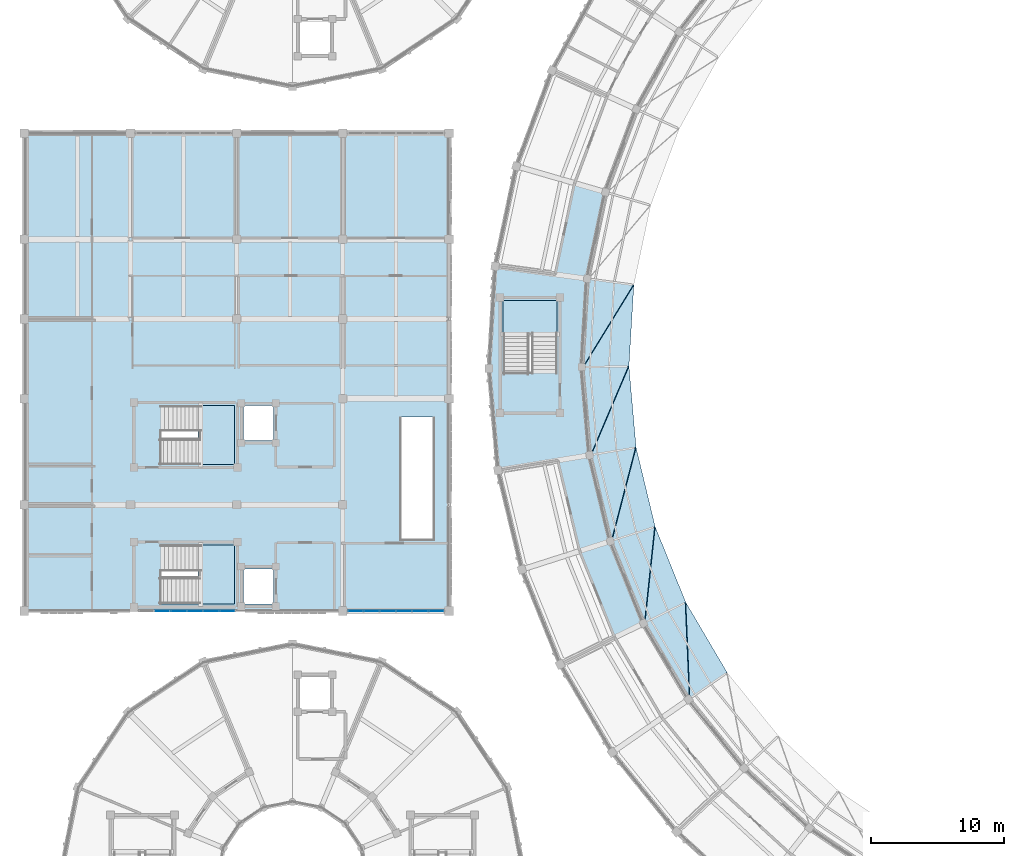
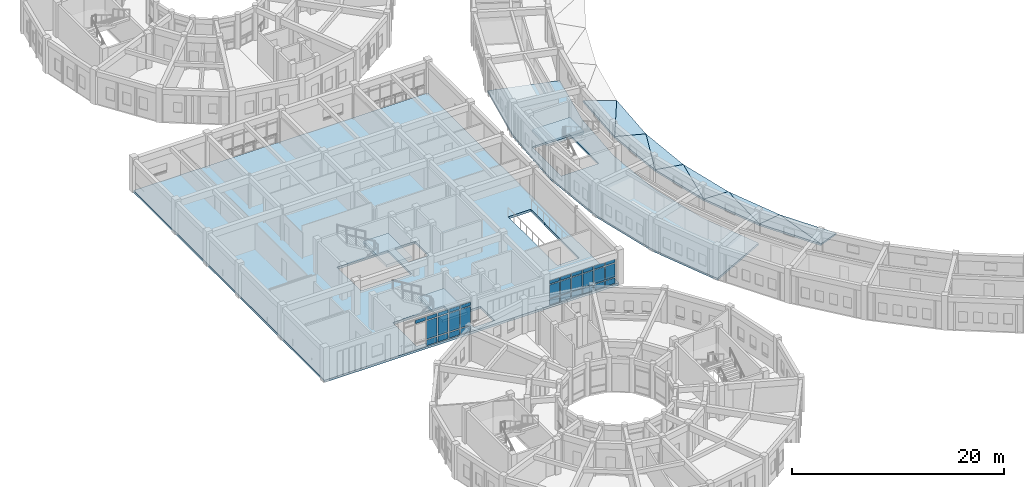
# One storey, part 67 of 112: 31 plates, 15 slabs, 5 elements without a shape of their own.
"""IFC4 building model written with IfcOpenShell, lengths in metres."""

from ifc_helpers import new_model, si_unit, direction, frame, origin, origin_2d, place, context, subcontext, project, spatial, polyline, rectangle, outline, extrude, material, layer, layer_set, type_object, element, aggregate, save


model = new_model("IFC4")

# Units and contexts
model_context = context("Model", 3, precision=1e-05, world=origin(), true_north=direction((0.0, 1.0)))
body_context = subcontext(model_context, "Body", "Model", "MODEL_VIEW")
ifc_project = project(units=[si_unit("LENGTHUNIT", "METRE"), si_unit("AREAUNIT", "SQUARE_METRE"), si_unit("VOLUMEUNIT", "CUBIC_METRE"), si_unit("PLANEANGLEUNIT", "RADIAN"), si_unit("MASSUNIT", "GRAM", prefix="KILO")], contexts=[model_context])

# Site, building, storey
site_placement = place(None, origin())
site = spatial("IfcSite", under=ifc_project, at=site_placement, CompositionType="ELEMENT")
building_placement = place(site_placement, origin())
building = spatial("IfcBuilding", under=site, at=building_placement, Name="Celadon Cloister-Ring School", CompositionType="ELEMENT")
storey_placement = place(building_placement, frame((0.0, 0.0, 8.5)))
storey = spatial("IfcBuildingStorey", under=building, at=storey_placement, Name="L02", CompositionType="ELEMENT", Elevation=8.5)

# Curtain wall, plates
ifc_material_1 = material(Name="Aluminium EN AW-6063 T6", Category="aluminium")
curtain_wall_type_1 = type_object("IfcCurtainWallType", Name="CW-15", PredefinedType="USERDEFINED", material=ifc_material_1)
curtain_wall_1_placement = place(storey_placement, origin())
curtain_wall_1 = element("IfcCurtainWall", 1, at=curtain_wall_1_placement, inside=storey, type_object=curtain_wall_type_1, Name="Curtain Wall 0201", ObjectType="CURTAIN WALL", PredefinedType="USERDEFINED")
ifc_material_2 = material(Name="Tempered laminated insulating glass", Category="glass")
ifc_layer_1 = layer(ifc_material_2, 0.02001953125)
ifc_layer_set_1 = layer_set([ifc_layer_1], Name="Tempered laminated insulating glass")
plate_type = type_object("IfcPlateType", Name="CPN-01", PredefinedType="CURTAIN_PANEL", material=ifc_layer_set_1)
plate_1_placement = place(storey_placement, frame((31.034912109375, 40.0, 0.10498046875), z_axis=(0.0, 0.0, 1.0), x_axis=(-1.0, 0.0, 0.0)))
plate_1 = element("IfcPlate", 2, at=plate_1_placement, type_object=plate_type, Name="CW-15 panel 1.1", PredefinedType="CURTAIN_PANEL", context=body_context, shape_type="SweptSolid", body=[
    extrude(rectangle(XDim=1.06005859375, YDim=0.02001953125, at=origin_2d()), origin(), (0.0, 0.0, 1.0), 0.642578125),
])
plate_2_placement = place(storey_placement, frame((31.034912109375, 40.0, 0.8525390625), z_axis=(0.0, 0.0, 1.0), x_axis=(-1.0, 0.0, 0.0)))
plate_2 = element("IfcPlate", 3, at=plate_2_placement, type_object=plate_type, Name="CW-15 panel 1.2", PredefinedType="CURTAIN_PANEL", context=body_context, shape_type="SweptSolid", body=[
    extrude(rectangle(XDim=1.06005859375, YDim=0.02001953125, at=origin_2d()), origin(), (0.0, 0.0, 1.0), 1.547119140625),
])
plate_3_placement = place(storey_placement, frame((31.034912109375, 40.0, 2.50439453125), z_axis=(0.0, 0.0, 1.0), x_axis=(-1.0, 0.0, 0.0)))
plate_3 = element("IfcPlate", 4, at=plate_3_placement, type_object=plate_type, Name="CW-15 panel 1.3", PredefinedType="CURTAIN_PANEL", context=body_context, shape_type="SweptSolid", body=[
    extrude(rectangle(XDim=1.06005859375, YDim=0.02001953125, at=origin_2d()), origin(), (0.0, 0.0, 1.0), 0.392578125),
])
plate_4_placement = place(storey_placement, frame((29.83740234375, 40.0, 0.10498046875), z_axis=(0.0, 0.0, 1.0), x_axis=(-1.0, 0.0, 0.0)))
plate_4 = element("IfcPlate", 5, at=plate_4_placement, type_object=plate_type, Name="CW-15 panel 2.1", PredefinedType="CURTAIN_PANEL", context=body_context, shape_type="SweptSolid", body=[
    extrude(rectangle(XDim=1.114990234375, YDim=0.02001953125, at=origin_2d()), origin(), (0.0, 0.0, 1.0), 0.642578125),
])
plate_5_placement = place(storey_placement, frame((29.83740234375, 40.0, 0.8525390625), z_axis=(0.0, 0.0, 1.0), x_axis=(-1.0, 0.0, 0.0)))
plate_5 = element("IfcPlate", 6, at=plate_5_placement, type_object=plate_type, Name="CW-15 panel 2.2", PredefinedType="CURTAIN_PANEL", context=body_context, shape_type="SweptSolid", body=[
    extrude(rectangle(XDim=1.114990234375, YDim=0.02001953125, at=origin_2d()), origin(), (0.0, 0.0, 1.0), 1.547119140625),
])
plate_6_placement = place(storey_placement, frame((29.83740234375, 40.0, 2.50439453125), z_axis=(0.0, 0.0, 1.0), x_axis=(-1.0, 0.0, 0.0)))
plate_6 = element("IfcPlate", 7, at=plate_6_placement, type_object=plate_type, Name="CW-15 panel 2.3", PredefinedType="CURTAIN_PANEL", context=body_context, shape_type="SweptSolid", body=[
    extrude(rectangle(XDim=1.114990234375, YDim=0.02001953125, at=origin_2d()), origin(), (0.0, 0.0, 1.0), 0.392578125),
])
plate_7_placement = place(storey_placement, frame((28.612548828125, 40.0, 0.10498046875), z_axis=(0.0, 0.0, 1.0), x_axis=(-1.0, 0.0, 0.0)))
plate_7 = element("IfcPlate", 8, at=plate_7_placement, type_object=plate_type, Name="CW-15 panel 3.1", PredefinedType="CURTAIN_PANEL", context=body_context, shape_type="SweptSolid", body=[
    extrude(rectangle(XDim=1.114990234375, YDim=0.02001953125, at=origin_2d()), origin(), (0.0, 0.0, 1.0), 0.642578125),
])
plate_8_placement = place(storey_placement, frame((28.612548828125, 40.0, 0.8525390625), z_axis=(0.0, 0.0, 1.0), x_axis=(-1.0, 0.0, 0.0)))
plate_8 = element("IfcPlate", 9, at=plate_8_placement, type_object=plate_type, Name="CW-15 panel 3.2", PredefinedType="CURTAIN_PANEL", context=body_context, shape_type="SweptSolid", body=[
    extrude(rectangle(XDim=1.114990234375, YDim=0.02001953125, at=origin_2d()), origin(), (0.0, 0.0, 1.0), 1.547119140625),
])
plate_9_placement = place(storey_placement, frame((28.612548828125, 40.0, 2.50439453125), z_axis=(0.0, 0.0, 1.0), x_axis=(-1.0, 0.0, 0.0)))
plate_9 = element("IfcPlate", 10, at=plate_9_placement, type_object=plate_type, Name="CW-15 panel 3.3", PredefinedType="CURTAIN_PANEL", context=body_context, shape_type="SweptSolid", body=[
    extrude(rectangle(XDim=1.114990234375, YDim=0.02001953125, at=origin_2d()), origin(), (0.0, 0.0, 1.0), 0.392578125),
])
plate_10_placement = place(storey_placement, frame((27.387451171875, 40.0, 0.10498046875), z_axis=(0.0, 0.0, 1.0), x_axis=(-1.0, 0.0, 0.0)))
plate_10 = element("IfcPlate", 11, at=plate_10_placement, type_object=plate_type, Name="CW-15 panel 4.1", PredefinedType="CURTAIN_PANEL", context=body_context, shape_type="SweptSolid", body=[
    extrude(rectangle(XDim=1.114990234375, YDim=0.02001953125, at=origin_2d()), origin(), (0.0, 0.0, 1.0), 0.642578125),
])
plate_11_placement = place(storey_placement, frame((27.387451171875, 40.0, 0.8525390625), z_axis=(0.0, 0.0, 1.0), x_axis=(-1.0, 0.0, 0.0)))
plate_11 = element("IfcPlate", 12, at=plate_11_placement, type_object=plate_type, Name="CW-15 panel 4.2", PredefinedType="CURTAIN_PANEL", context=body_context, shape_type="SweptSolid", body=[
    extrude(rectangle(XDim=1.114990234375, YDim=0.02001953125, at=origin_2d()), origin(), (0.0, 0.0, 1.0), 1.547119140625),
])
plate_12_placement = place(storey_placement, frame((27.387451171875, 40.0, 2.50439453125), z_axis=(0.0, 0.0, 1.0), x_axis=(-1.0, 0.0, 0.0)))
plate_12 = element("IfcPlate", 13, at=plate_12_placement, type_object=plate_type, Name="CW-15 panel 4.3", PredefinedType="CURTAIN_PANEL", context=body_context, shape_type="SweptSolid", body=[
    extrude(rectangle(XDim=1.114990234375, YDim=0.02001953125, at=origin_2d()), origin(), (0.0, 0.0, 1.0), 0.392578125),
])
plate_13_placement = place(storey_placement, frame((26.16259765625, 40.0, 0.10498046875), z_axis=(0.0, 0.0, 1.0), x_axis=(-1.0, 0.0, 0.0)))
plate_13 = element("IfcPlate", 14, at=plate_13_placement, type_object=plate_type, Name="CW-15 panel 5.1", PredefinedType="CURTAIN_PANEL", context=body_context, shape_type="SweptSolid", body=[
    extrude(rectangle(XDim=1.114990234375, YDim=0.02001953125, at=origin_2d()), origin(), (0.0, 0.0, 1.0), 0.642578125),
])
plate_14_placement = place(storey_placement, frame((26.16259765625, 40.0, 0.8525390625), z_axis=(0.0, 0.0, 1.0), x_axis=(-1.0, 0.0, 0.0)))
plate_14 = element("IfcPlate", 15, at=plate_14_placement, type_object=plate_type, Name="CW-15 panel 5.2", PredefinedType="CURTAIN_PANEL", context=body_context, shape_type="SweptSolid", body=[
    extrude(rectangle(XDim=1.114990234375, YDim=0.02001953125, at=origin_2d()), origin(), (0.0, 0.0, 1.0), 1.547119140625),
])
plate_15_placement = place(storey_placement, frame((26.16259765625, 40.0, 2.50439453125), z_axis=(0.0, 0.0, 1.0), x_axis=(-1.0, 0.0, 0.0)))
plate_15 = element("IfcPlate", 16, at=plate_15_placement, type_object=plate_type, Name="CW-15 panel 5.3", PredefinedType="CURTAIN_PANEL", context=body_context, shape_type="SweptSolid", body=[
    extrude(rectangle(XDim=1.114990234375, YDim=0.02001953125, at=origin_2d()), origin(), (0.0, 0.0, 1.0), 0.392578125),
])
plate_16_placement = place(storey_placement, frame((24.965087890625, 40.0, 0.10498046875), z_axis=(0.0, 0.0, 1.0), x_axis=(-1.0, 0.0, 0.0)))
plate_16 = element("IfcPlate", 17, at=plate_16_placement, type_object=plate_type, Name="CW-15 panel 6.1", PredefinedType="CURTAIN_PANEL", context=body_context, shape_type="SweptSolid", body=[
    extrude(rectangle(XDim=1.06005859375, YDim=0.02001953125, at=origin_2d()), origin(), (0.0, 0.0, 1.0), 0.642578125),
])
plate_17_placement = place(storey_placement, frame((24.965087890625, 40.0, 0.8525390625), z_axis=(0.0, 0.0, 1.0), x_axis=(-1.0, 0.0, 0.0)))
plate_17 = element("IfcPlate", 18, at=plate_17_placement, type_object=plate_type, Name="CW-15 panel 6.2", PredefinedType="CURTAIN_PANEL", context=body_context, shape_type="SweptSolid", body=[
    extrude(rectangle(XDim=1.06005859375, YDim=0.02001953125, at=origin_2d()), origin(), (0.0, 0.0, 1.0), 1.547119140625),
])
plate_18_placement = place(storey_placement, frame((24.965087890625, 40.0, 2.50439453125), z_axis=(0.0, 0.0, 1.0), x_axis=(-1.0, 0.0, 0.0)))
plate_18 = element("IfcPlate", 19, at=plate_18_placement, type_object=plate_type, Name="CW-15 panel 6.3", PredefinedType="CURTAIN_PANEL", context=body_context, shape_type="SweptSolid", body=[
    extrude(rectangle(XDim=1.06005859375, YDim=0.02001953125, at=origin_2d()), origin(), (0.0, 0.0, 1.0), 0.392578125),
])
aggregate(curtain_wall_1, [plate_1, plate_2, plate_3, plate_4, plate_5, plate_6, plate_7, plate_8, plate_9, plate_10, plate_11, plate_12, plate_13, plate_14, plate_15, plate_16, plate_17, plate_18])

ifc_material_3 = material(Name="Aluminium EN AW-6063 T6", Category="aluminium")
curtain_wall_type_2 = type_object("IfcCurtainWallType", Name="CW-13", PredefinedType="USERDEFINED", material=ifc_material_3)
curtain_wall_2_placement = place(storey_placement, origin())
curtain_wall_2 = element("IfcCurtainWall", 20, at=curtain_wall_2_placement, inside=storey, type_object=curtain_wall_type_2, Name="Curtain Wall 0202", ObjectType="CURTAIN WALL", PredefinedType="USERDEFINED")
plate_19_placement = place(storey_placement, frame((15.296630859375, 40.0, 0.10498046875), z_axis=(0.0, 0.0, 1.0), x_axis=(-1.0, 0.0, 0.0)))
plate_19 = element("IfcPlate", 21, at=plate_19_placement, type_object=plate_type, Name="CW-13 panel 1.1", PredefinedType="CURTAIN_PANEL", context=body_context, shape_type="SweptSolid", body=[
    extrude(rectangle(XDim=1.066650390625, YDim=0.02001953125, at=origin_2d()), origin(), (0.0, 0.0, 1.0), 0.642578125),
])
plate_20_placement = place(storey_placement, frame((15.296630859375, 40.0, 0.8525390625), z_axis=(0.0, 0.0, 1.0), x_axis=(-1.0, 0.0, 0.0)))
plate_20 = element("IfcPlate", 22, at=plate_20_placement, type_object=plate_type, Name="CW-13 panel 1.2", PredefinedType="CURTAIN_PANEL", context=body_context, shape_type="SweptSolid", body=[
    extrude(rectangle(XDim=1.066650390625, YDim=0.02001953125, at=origin_2d()), origin(), (0.0, 0.0, 1.0), 2.094970703125),
])
plate_21_placement = place(storey_placement, frame((15.296630859375, 40.0, 3.052490234375), z_axis=(0.0, 0.0, 1.0), x_axis=(-1.0, 0.0, 0.0)))
plate_21 = element("IfcPlate", 23, at=plate_21_placement, type_object=plate_type, Name="CW-13 panel 1.3", PredefinedType="CURTAIN_PANEL", context=body_context, shape_type="SweptSolid", body=[
    extrude(rectangle(XDim=1.066650390625, YDim=0.02001953125, at=origin_2d()), origin(), (0.0, 0.0, 1.0), 0.392578125),
])
plate_22_placement = place(storey_placement, frame((14.092529296875, 40.0, 0.10498046875), z_axis=(0.0, 0.0, 1.0), x_axis=(-1.0, 0.0, 0.0)))
plate_22 = element("IfcPlate", 24, at=plate_22_placement, type_object=plate_type, Name="CW-13 panel 2.1", PredefinedType="CURTAIN_PANEL", context=body_context, shape_type="SweptSolid", body=[
    extrude(rectangle(XDim=1.12158203125, YDim=0.02001953125, at=origin_2d()), origin(), (0.0, 0.0, 1.0), 0.642578125),
])
plate_23_placement = place(storey_placement, frame((14.092529296875, 40.0, 0.8525390625), z_axis=(0.0, 0.0, 1.0), x_axis=(-1.0, 0.0, 0.0)))
plate_23 = element("IfcPlate", 25, at=plate_23_placement, type_object=plate_type, Name="CW-13 panel 2.2", PredefinedType="CURTAIN_PANEL", context=body_context, shape_type="SweptSolid", body=[
    extrude(rectangle(XDim=1.12158203125, YDim=0.02001953125, at=origin_2d()), origin(), (0.0, 0.0, 1.0), 2.094970703125),
])
plate_24_placement = place(storey_placement, frame((14.092529296875, 40.0, 3.052490234375), z_axis=(0.0, 0.0, 1.0), x_axis=(-1.0, 0.0, 0.0)))
plate_24 = element("IfcPlate", 26, at=plate_24_placement, type_object=plate_type, Name="CW-13 panel 2.3", PredefinedType="CURTAIN_PANEL", context=body_context, shape_type="SweptSolid", body=[
    extrude(rectangle(XDim=1.12158203125, YDim=0.02001953125, at=origin_2d()), origin(), (0.0, 0.0, 1.0), 0.392578125),
])
plate_25_placement = place(storey_placement, frame((12.86083984375, 40.0, 0.10498046875), z_axis=(0.0, 0.0, 1.0), x_axis=(-1.0, 0.0, 0.0)))
plate_25 = element("IfcPlate", 27, at=plate_25_placement, type_object=plate_type, Name="CW-13 panel 3.1", PredefinedType="CURTAIN_PANEL", context=body_context, shape_type="SweptSolid", body=[
    extrude(rectangle(XDim=1.12158203125, YDim=0.02001953125, at=origin_2d()), origin(), (0.0, 0.0, 1.0), 0.642578125),
])
plate_26_placement = place(storey_placement, frame((12.86083984375, 40.0, 0.8525390625), z_axis=(0.0, 0.0, 1.0), x_axis=(-1.0, 0.0, 0.0)))
plate_26 = element("IfcPlate", 28, at=plate_26_placement, type_object=plate_type, Name="CW-13 panel 3.2", PredefinedType="CURTAIN_PANEL", context=body_context, shape_type="SweptSolid", body=[
    extrude(rectangle(XDim=1.12158203125, YDim=0.02001953125, at=origin_2d()), origin(), (0.0, 0.0, 1.0), 2.094970703125),
])
plate_27_placement = place(storey_placement, frame((12.86083984375, 40.0, 3.052490234375), z_axis=(0.0, 0.0, 1.0), x_axis=(-1.0, 0.0, 0.0)))
plate_27 = element("IfcPlate", 29, at=plate_27_placement, type_object=plate_type, Name="CW-13 panel 3.3", PredefinedType="CURTAIN_PANEL", context=body_context, shape_type="SweptSolid", body=[
    extrude(rectangle(XDim=1.12158203125, YDim=0.02001953125, at=origin_2d()), origin(), (0.0, 0.0, 1.0), 0.392578125),
])
plate_28_placement = place(storey_placement, frame((11.629150390625, 40.0, 0.10498046875), z_axis=(0.0, 0.0, 1.0), x_axis=(-1.0, 0.0, 0.0)))
plate_28 = element("IfcPlate", 30, at=plate_28_placement, type_object=plate_type, Name="CW-13 panel 4.1", PredefinedType="CURTAIN_PANEL", context=body_context, shape_type="SweptSolid", body=[
    extrude(rectangle(XDim=1.12158203125, YDim=0.02001953125, at=origin_2d()), origin(), (0.0, 0.0, 1.0), 0.642578125),
])
plate_29_placement = place(storey_placement, frame((11.629150390625, 40.0, 0.8525390625), z_axis=(0.0, 0.0, 1.0), x_axis=(-1.0, 0.0, 0.0)))
plate_29 = element("IfcPlate", 31, at=plate_29_placement, type_object=plate_type, Name="CW-13 panel 4.2", PredefinedType="CURTAIN_PANEL", context=body_context, shape_type="SweptSolid", body=[
    extrude(rectangle(XDim=1.12158203125, YDim=0.02001953125, at=origin_2d()), origin(), (0.0, 0.0, 1.0), 2.094970703125),
])
plate_30_placement = place(storey_placement, frame((11.629150390625, 40.0, 3.052490234375), z_axis=(0.0, 0.0, 1.0), x_axis=(-1.0, 0.0, 0.0)))
plate_30 = element("IfcPlate", 32, at=plate_30_placement, type_object=plate_type, Name="CW-13 panel 4.3", PredefinedType="CURTAIN_PANEL", context=body_context, shape_type="SweptSolid", body=[
    extrude(rectangle(XDim=1.12158203125, YDim=0.02001953125, at=origin_2d()), origin(), (0.0, 0.0, 1.0), 0.392578125),
])
plate_31_placement = place(storey_placement, frame((10.3974609375, 40.0, 3.052490234375), z_axis=(0.0, 0.0, 1.0), x_axis=(-1.0, 0.0, 0.0)))
plate_31 = element("IfcPlate", 33, at=plate_31_placement, type_object=plate_type, Name="CW-13 panel 5.3", PredefinedType="CURTAIN_PANEL", context=body_context, shape_type="SweptSolid", body=[
    extrude(rectangle(XDim=1.12158203125, YDim=0.02001953125, at=origin_2d()), origin(), (0.0, 0.0, 1.0), 0.392578125),
])
aggregate(curtain_wall_2, [plate_19, plate_20, plate_21, plate_22, plate_23, plate_24, plate_25, plate_26, plate_27, plate_28, plate_29, plate_30, plate_31])

# Slabs
ifc_material_4 = material(Name="Concrete C35/45", Category="concrete")
ifc_layer_2 = layer(ifc_material_4, 0.219970703125)
ifc_layer_set_2 = layer_set([ifc_layer_2], Name="Concrete C35/45")
slab_type_1 = type_object("IfcSlabType", Name="SL-FL2", PredefinedType="FLOOR", material=ifc_layer_set_2)
slab_1_placement = place(storey_placement, frame((0.0, 0.0, -0.219970703125)))
element("IfcSlab", 34, at=slab_1_placement, inside=storey, type_object=slab_type_1, Name="Ring L02 Sector 0016", PredefinedType="FLOOR", context=body_context, shape_type="SweptSolid", body=[
    extrude(outline(polyline([(43.787109375, 71.554931640625), (42.406005859375, 65.031982421875), (42.00390625, 58.3779296875), (42.590087890625, 51.737060546875), (44.14990234375, 45.256103515625), (46.65087890625, 39.075927734375), (40.375, 35.97705078125), (37.485107421875, 43.117919921875), (35.681884765625, 50.60693359375), (35.0048828125, 58.281005859375), (35.468994140625, 65.970947265625), (37.06494140625, 73.508056640625), (43.787109375, 71.554931640625)]), holes=[polyline([(40.14990234375, 57.9150390625), (40.14990234375, 63.39990234375), (36.070068359375, 63.39990234375), (36.070068359375, 57.9150390625), (40.14990234375, 57.9150390625)])]), origin(), (0.0, 0.0, 1.0), 0.219970703125),
])
ifc_material_5 = material(Name="Concrete C35/45", Category="concrete")
ifc_layer_3 = layer(ifc_material_5, 0.260009765625)
ifc_layer_set_3 = layer_set([ifc_layer_3], Name="Concrete C35/45")
slab_type_2 = type_object("IfcSlabType", Name="SL-FL4", PredefinedType="FLOOR", material=ifc_layer_set_3)
slab_2_placement = place(storey_placement, frame((0.0, 0.0, -0.260009765625)))
element("IfcSlab", 35, at=slab_2_placement, inside=storey, type_object=slab_type_2, Name="Science Wing L02 Slab 0072", PredefinedType="FLOOR", context=body_context, shape_type="SweptSolid", body=[
    extrude(outline(polyline([(0.0, 76.0), (32.0, 76.0), (32.0, 40.0), (0.0, 40.0), (0.0, 76.0)]), holes=[polyline([(18.77001953125, 40.530029296875), (18.77001953125, 43.169921875), (16.530029296875, 43.169921875), (16.530029296875, 40.530029296875), (18.77001953125, 40.530029296875)]), polyline([(15.830078125, 40.52001953125), (15.830078125, 44.97998046875), (10.2900390625, 44.97998046875), (10.2900390625, 40.52001953125), (15.830078125, 40.52001953125)]), polyline([(28.35498046875, 51.9599609375), (28.39990234375, 51.9599609375), (28.39990234375, 45.39990234375), (30.800048828125, 45.39990234375), (30.800048828125, 51.9599609375), (30.844970703125, 51.9599609375), (30.844970703125, 54.594970703125), (28.35498046875, 54.594970703125), (28.35498046875, 51.9599609375)]), polyline([(15.830078125, 51.02001953125), (15.830078125, 55.47998046875), (10.2900390625, 55.47998046875), (10.2900390625, 51.02001953125), (15.830078125, 51.02001953125)]), polyline([(16.530029296875, 52.830078125), (18.77001953125, 52.830078125), (18.77001953125, 55.469970703125), (16.530029296875, 55.469970703125), (16.530029296875, 52.830078125)])]), origin(), (0.0, 0.0, 1.0), 0.260009765625),
])

# Stair, slab
ifc_material_6 = material(Name="Concrete C35/45", Category="concrete")
stair_type_1 = type_object("IfcStairType", Name="ST-02", PredefinedType="HALF_TURN_STAIR", material=ifc_material_6)
stair_1_placement = place(storey_placement, origin())
stair_1 = element("IfcStair", 36, at=stair_1_placement, inside=storey, type_object=stair_type_1, Name="Exit Stair ST-V5A L02", PredefinedType="HALF_TURN_STAIR")
ifc_material_7 = material(Name="Concrete C35/45", Category="concrete")
ifc_layer_4 = layer(ifc_material_7, 0.280029296875)
ifc_layer_set_4 = layer_set([ifc_layer_4], Name="Concrete C35/45")
slab_type_3 = type_object("IfcSlabType", Name="SL-LD1", PredefinedType="LANDING", material=ifc_layer_set_4)
slab_3_placement = place(storey_placement, frame((0.0, 0.0, 1.719970703125)))
slab_3 = element("IfcSlab", 37, at=slab_3_placement, type_object=slab_type_3, Name="ST-02 landing 1", PredefinedType="LANDING", context=body_context, shape_type="SweptSolid", body=[
    extrude(outline(polyline([(13.080078125, 40.52001953125), (15.830078125, 40.52001953125), (15.830078125, 44.97998046875), (13.080078125, 44.97998046875), (13.080078125, 40.52001953125)])), origin(), (0.0, 0.0, 1.0), 0.280029296875),
])
aggregate(stair_1, [slab_3])

ifc_material_8 = material(Name="Concrete C35/45", Category="concrete")
stair_type_2 = type_object("IfcStairType", Name="ST-04", PredefinedType="HALF_TURN_STAIR", material=ifc_material_8)
stair_2_placement = place(storey_placement, origin())
stair_2 = element("IfcStair", 38, at=stair_2_placement, inside=storey, type_object=stair_type_2, Name="Exit Stair ST-V5B L02", PredefinedType="HALF_TURN_STAIR")
ifc_material_9 = material(Name="Concrete C35/45", Category="concrete")
ifc_layer_5 = layer(ifc_material_9, 0.300048828125)
ifc_layer_set_5 = layer_set([ifc_layer_5], Name="Concrete C35/45")
slab_type_4 = type_object("IfcSlabType", Name="SL-LD2", PredefinedType="LANDING", material=ifc_layer_set_5)
slab_4_placement = place(storey_placement, frame((0.0, 0.0, 1.699951171875)))
slab_4 = element("IfcSlab", 39, at=slab_4_placement, type_object=slab_type_4, Name="ST-04 landing 1", PredefinedType="LANDING", context=body_context, shape_type="SweptSolid", body=[
    extrude(outline(polyline([(13.080078125, 51.02001953125), (15.830078125, 51.02001953125), (15.830078125, 55.47998046875), (13.080078125, 55.47998046875), (13.080078125, 51.02001953125)])), origin(), (0.0, 0.0, 1.0), 0.300048828125),
])
aggregate(stair_2, [slab_4])

stair_3_placement = place(storey_placement, origin())
stair_3 = element("IfcStair", 40, at=stair_3_placement, inside=storey, type_object=stair_type_2, Name="Exit Stair ST-V1W L02", PredefinedType="HALF_TURN_STAIR")
slab_5_placement = place(storey_placement, frame((0.0, 0.0, 1.699951171875)))
slab_5 = element("IfcSlab", 41, at=slab_5_placement, type_object=slab_type_4, Name="ST-04 landing 1", PredefinedType="LANDING", context=body_context, shape_type="SweptSolid", body=[
    extrude(outline(polyline([(36.070068359375, 60.68994140625), (40.14990234375, 60.68994140625), (40.14990234375, 63.39990234375), (36.070068359375, 63.39990234375), (36.070068359375, 60.68994140625)])), origin(), (0.0, 0.0, 1.0), 0.300048828125),
])
aggregate(stair_3, [slab_5])

# Slabs
ifc_material_10 = material(Name="Concrete C35/45", Category="concrete")
ifc_layer_6 = layer(ifc_material_10, 0.179931640625)
ifc_layer_set_6 = layer_set([ifc_layer_6], Name="Concrete C35/45")
slab_type_5 = type_object("IfcSlabType", Name="SL-RF1", PredefinedType="ROOF", material=ifc_layer_set_6)
slab_6_placement = place(storey_placement, frame((45.924072265625, 64.556884765625, 1.199951171875), z_axis=(0.258655983644, -0.015627667702, 0.965843081524), x_axis=(-0.957318289794, 0.129371064087, 0.258466283687)))
element("IfcSlab", 42, at=slab_6_placement, inside=storey, type_object=slab_type_5, Name="Conical Lower Roof Inner Tri 0025", PredefinedType="ROOF", context=body_context, shape_type="SweptSolid", body=[
    extrude(outline(polyline([(0.0, 0.0), (3.540264708595169, -6.938893903907228e-18), (3.065655143935466, 6.630143606932572), (0.0, 0.0)])), origin(), (0.0, 0.0, -1.0), 0.179931640625),
])
slab_7_placement = place(storey_placement, frame((45.924072265625, 64.556884765625, 1.199951171875), z_axis=(0.258638763589, -0.015616391811, 0.965847875328), x_axis=(-0.518857141132, -0.845632860589, 0.125269039227)))
element("IfcSlab", 43, at=slab_7_placement, inside=storey, type_object=slab_type_5, Name="Conical Lower Roof Outer Tri 0026", PredefinedType="ROOF", context=body_context, shape_type="SweptSolid", body=[
    extrude(outline(polyline([(0.0, 0.0), (7.304590728445149, 1.942890293094024e-16), (5.375668283598125, 2.968946030527166), (0.0, 0.0)])), origin(), (0.0, 0.0, -1.0), 0.179931640625),
])
slab_8_placement = place(storey_placement, frame((45.553955078125, 58.427001953125, 1.199951171875), z_axis=(0.258109846284, 0.022762922697, 0.965847377489), x_axis=(-0.965933865971, -0.013308483447, 0.258446611198)))
element("IfcSlab", 44, at=slab_8_placement, inside=storey, type_object=slab_type_5, Name="Conical Lower Roof Inner Tri 0029", PredefinedType="ROOF", context=body_context, shape_type="SweptSolid", body=[
    extrude(outline(polyline([(0.0, 0.0), (3.5405341871556093, 3.469446951953614e-18), (3.0645703661459764, 6.63046589930623), (0.0, 0.0)])), origin(), (0.0, 0.0, -1.0), 0.179931640625),
])
slab_9_placement = place(storey_placement, frame((45.553955078125, 58.427001953125, 1.199951171875), z_axis=(0.258140295067, 0.022748903273, 0.965839570251), x_axis=(-0.388249082484, -0.913000338941, 0.125271828611)))
element("IfcSlab", 45, at=slab_9_placement, inside=storey, type_object=slab_type_5, Name="Conical Lower Roof Outer Tri 0030", PredefinedType="ROOF", context=body_context, shape_type="SweptSolid", body=[
    extrude(outline(polyline([(0.0, 0.0), (7.304428079659821, -2.498001805406602e-16), (5.375480839365974, 2.9684659651607), (0.0, 0.0)])), origin(), (0.0, 0.0, -1.0), 0.179931640625),
])
slab_10_placement = place(storey_placement, frame((46.093017578125, 52.31005859375, 1.199951171875), z_axis=(0.251941259822, 0.060651291839, 0.965840060464), x_axis=(-0.953350741991, -0.155926361953, 0.258475013092)))
element("IfcSlab", 46, at=slab_10_placement, inside=storey, type_object=slab_type_5, Name="Conical Lower Roof Inner Tri 0033", PredefinedType="ROOF", context=body_context, shape_type="SweptSolid", body=[
    extrude(outline(polyline([(0.0, 0.0), (3.5401451442214475, 1.3877787807814457e-17), (3.064591995119695, 6.63074735890017), (0.0, 0.0)])), origin(), (0.0, 0.0, -1.0), 0.179931640625),
])
slab_11_placement = place(storey_placement, frame((46.093017578125, 52.31005859375, 1.199951171875), z_axis=(0.251877591076, 0.060669816032, 0.965855502928), x_axis=(-0.249030573269, -0.960360286179, 0.125267291453)))
element("IfcSlab", 47, at=slab_11_placement, inside=storey, type_object=slab_type_5, Name="Conical Lower Roof Outer Tri 0034", PredefinedType="ROOF", context=body_context, shape_type="SweptSolid", body=[
    extrude(outline(polyline([(0.0, 0.0), (7.304692644739635, 2.7755575615628914e-17), (5.375219726897792, 2.9690694469398933), (0.0, 0.0)])), origin(), (0.0, 0.0, -1.0), 0.179931640625),
])
slab_12_placement = place(storey_placement, frame((47.531005859375, 46.340087890625, 1.199951171875), z_axis=(0.240153237598, 0.097206920849, 0.965855701961), x_axis=(-0.91983549037, -0.295166459356, 0.258417166472)))
element("IfcSlab", 48, at=slab_12_placement, inside=storey, type_object=slab_type_5, Name="Conical Lower Roof Inner Tri 0037", PredefinedType="ROOF", context=body_context, shape_type="SweptSolid", body=[
    extrude(outline(polyline([(0.0, 0.0), (3.540937604849466, -8.673617379884035e-17), (3.0655144842629123, 6.630482145386293), (0.0, 0.0)])), origin(), (0.0, 0.0, -1.0), 0.179931640625),
])
slab_13_placement = place(storey_placement, frame((47.531005859375, 46.340087890625, 1.199951171875), z_axis=(0.240233723418, 0.097195998842, 0.965836785353), x_axis=(-0.104443021283, -0.986610556245, 0.125264782006)))
element("IfcSlab", 49, at=slab_13_placement, inside=storey, type_object=slab_type_5, Name="Conical Lower Roof Outer Tri 0038", PredefinedType="ROOF", context=body_context, shape_type="SweptSolid", body=[
    extrude(outline(polyline([(0.0, 0.0), (7.30483898066974, -2.7755575615628914e-17), (5.375394067162168, 2.968045034362346), (0.0, 0.0)])), origin(), (0.0, 0.0, -1.0), 0.179931640625),
])
slab_14_placement = place(storey_placement, frame((49.833984375, 40.64794921875, 1.199951171875), z_axis=(0.223220982124, 0.131628986815, 0.965839636259), x_axis=(-0.866063007107, -0.427928090388, 0.258480980302)))
element("IfcSlab", 50, at=slab_14_placement, inside=storey, type_object=slab_type_5, Name="Conical Lower Roof Inner Tri 0041", PredefinedType="ROOF", context=body_context, shape_type="SweptSolid", body=[
    extrude(outline(polyline([(0.0, 0.0), (3.5400634175482244, 6.938893903907228e-18), (3.066185111233731, 6.629434385749139), (0.0, 0.0)])), origin(), (0.0, 0.0, -1.0), 0.179931640625),
])
slab_15_placement = place(storey_placement, frame((49.833984375, 40.64794921875, 1.199951171875), z_axis=(0.223260136203, 0.131629510799, 0.965830514878), x_axis=(0.042449534572, -0.991213344661, 0.125276264232)))
element("IfcSlab", 51, at=slab_15_placement, inside=storey, type_object=slab_type_5, Name="Conical Lower Roof Outer Tri 0042", PredefinedType="ROOF", context=body_context, shape_type="SweptSolid", body=[
    extrude(outline(polyline([(0.0, 0.0), (7.304169453901277, 5.551115123125783e-17), (5.375953016668628, 2.9683594333560914), (0.0, 0.0)])), origin(), (0.0, 0.0, -1.0), 0.179931640625),
])

save(model, "model.ifc")
